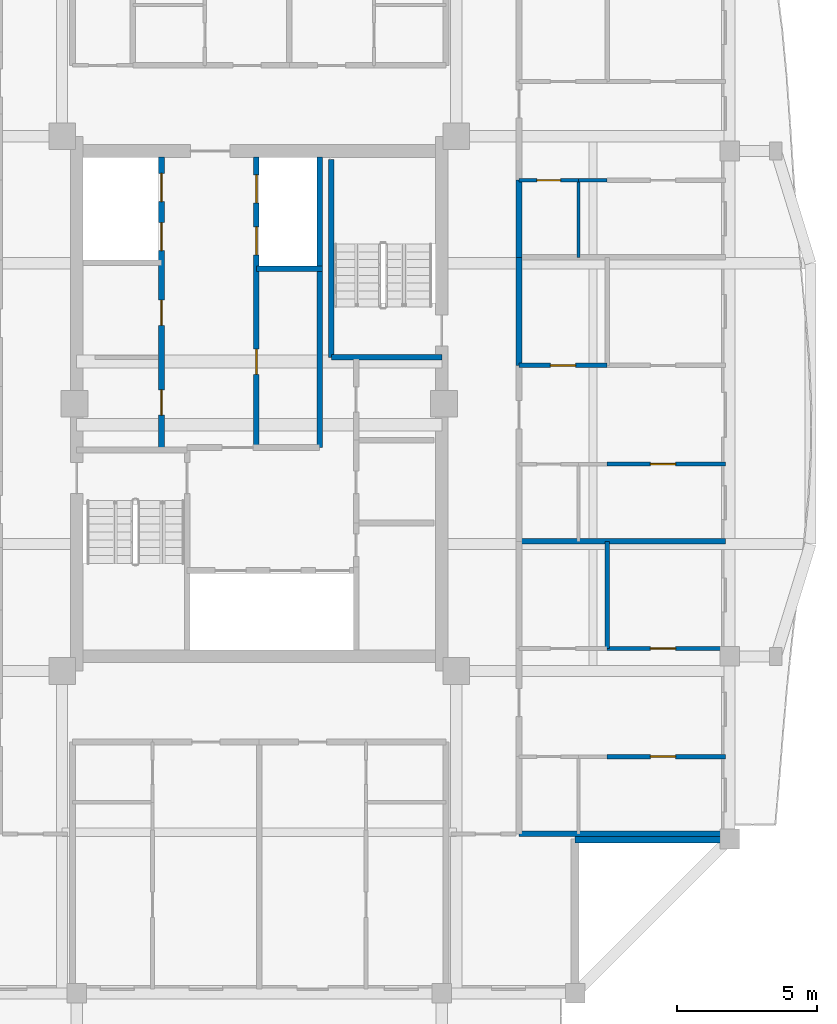
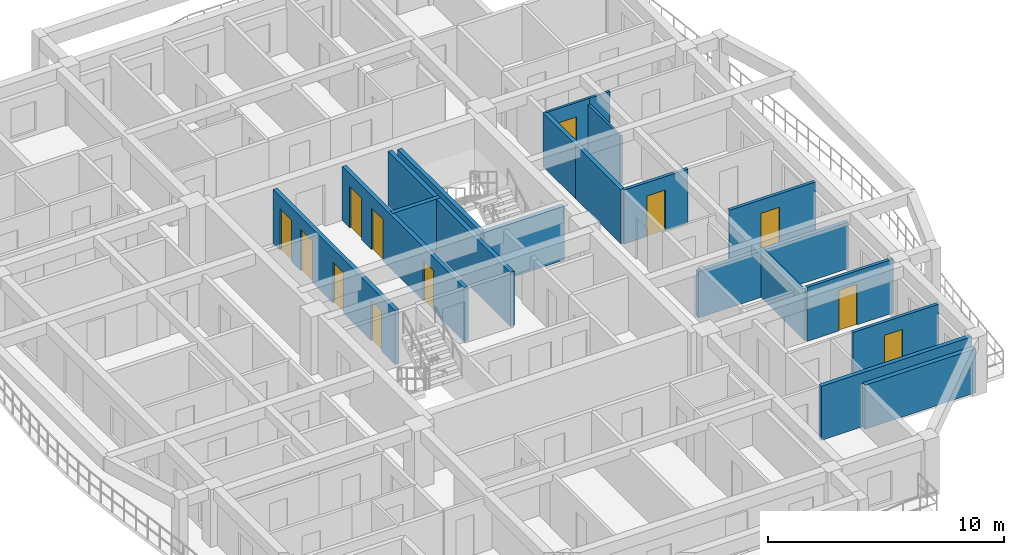
# One storey, part 5 of 14: 20 walls, 12 doors, 12 openings.
"""IFC4 building model written with IfcOpenShell, lengths in metres."""

from ifc_helpers import new_model, si_unit, direction, frame, frame_2d, origin, place, context, subcontext, project, spatial, rectangle, extrude, source, transform, mapped, material, layer, layer_set, type_object, element, fill, save


model = new_model("IFC4")

# Units and contexts
model_context = context("Model", 3, precision=1e-05, world=origin(), true_north=direction((0.0, 1.0)))
body_context = subcontext(model_context, "Body", "Model", "MODEL_VIEW")
ifc_project = project(units=[si_unit("LENGTHUNIT", "METRE"), si_unit("AREAUNIT", "SQUARE_METRE"), si_unit("VOLUMEUNIT", "CUBIC_METRE"), si_unit("PLANEANGLEUNIT", "RADIAN"), si_unit("MASSUNIT", "GRAM", prefix="KILO")], contexts=[model_context])

# Site, building, storey
site_placement = place(None, origin())
site = spatial("IfcSite", under=ifc_project, at=site_placement, CompositionType="ELEMENT")
building_placement = place(site_placement, origin())
building = spatial("IfcBuilding", under=site, at=building_placement, Name="Saelheon Loggia Tower", CompositionType="ELEMENT")
storey_placement = place(building_placement, frame((0.0, 0.0, 230.10009765625)))
storey = spatial("IfcBuildingStorey", under=building, at=storey_placement, Name="L71", CompositionType="ELEMENT", Elevation=230.10009765625)

# Walls
ifc_material_1 = material(Name="Architectural Precast Concrete C40/50", Category="concrete")
ifc_layer_1 = layer(ifc_material_1, 0.280029296875)
ifc_layer_set_1 = layer_set([ifc_layer_1], Name="Architectural Precast Concrete C40/50")
wall_type_1 = type_object("IfcWallType", Name="Wall_Ext_Loggia_280", PredefinedType="SOLIDWALL", material=ifc_layer_set_1)
wall_1_placement = place(storey_placement, frame((49.25, 11.5, 0.0), z_axis=(0.0, 0.0, 1.0), x_axis=(1.0, 0.0, 0.0)))
element("IfcWall", 1, at=wall_1_placement, inside=storey, type_object=wall_type_1, Name="L71 Corner Notch Precast Wall SE2", PredefinedType="SOLIDWALL", context=body_context, shape_type="SweptSolid", body=[
    extrude(rectangle(XDim=5.419921875, YDim=0.280029296875, at=frame_2d((2.7099609375, 0.0))), origin(), (0.0, 0.0, 1.0), 2.27978515625),
])
ifc_material_2 = material(Name="Lightweight Autoclaved Aerated Concrete Block and Acoustic Gypsum", Category="concrete")
ifc_layer_2 = layer(ifc_material_2, 0.14990234375)
ifc_layer_set_2 = layer_set([ifc_layer_2], Name="Lightweight Autoclaved Aerated Concrete Block and Acoustic Gypsum")
wall_type_2 = type_object("IfcWallType", Name="Wall_Part_150", PredefinedType="PARTITIONING", material=ifc_layer_set_2)
wall_2_placement = place(storey_placement, frame((50.389892578125, 18.280029296875, 0.0), z_axis=(0.0, 0.0, 1.0), x_axis=(0.0, 1.0, 0.0)))
element("IfcWall", 2, at=wall_2_placement, inside=storey, type_object=wall_type_2, Name="L71 E Partition V07", PredefinedType="PARTITIONING", context=body_context, shape_type="SweptSolid", body=[
    extrude(rectangle(XDim=3.817626953125, YDim=0.14990234375, at=frame_2d((1.90869140625, 0.0))), origin(), (0.0, 0.0, 1.0), 2.489990234375),
])

# Wall, opening, door
wall_3_placement = place(storey_placement, frame((50.389892578125, 14.429931640625, 0.0), z_axis=(0.0, 0.0, 1.0), x_axis=(1.0, 0.0, 0.0)))
wall_3 = element("IfcWall", 3, at=wall_3_placement, inside=storey, type_object=wall_type_2, Name="L71 E Partition U10", PredefinedType="PARTITIONING", context=body_context, shape_type="SweptSolid", body=[
    extrude(rectangle(XDim=4.210205078125, YDim=0.14990234375, at=frame_2d((2.10498046875, 0.0))), origin(), (0.0, 0.0, 1.0), 2.789794921875),
])
opening_1_placement = place(wall_3_placement, frame((1.537109375, 0.0, 0.0)))
opening_1 = element("IfcOpeningElement", 4, at=opening_1_placement, cuts=wall_3, Name="Opening D-IN2", PredefinedType="OPENING", context=body_context, shape_type="SweptSolid", body=[
    extrude(rectangle(XDim=0.89990234375, YDim=2.10009765625, at=frame_2d((0.449951171875, 1.050048828125))), frame((0.0, 0.0869140625, 0.0), z_axis=(0.0, -1.0, 0.0), x_axis=(1.0, 0.0, 0.0)), (0.0, 0.0, 1.0), 0.173828125),
])
ifc_material_3 = material(Name="Engineered Oak Flush Door", Category="timber")
door_type_1 = type_object("IfcDoorType", Name="Door_Int_900", OperationType="NOTDEFINED", PredefinedType="DOOR", material=ifc_material_3)
shared_shape_1 = source(origin(), body_context, "Body", "SweptSolid", [
    extrude(rectangle(XDim=0.89990234375, YDim=2.10009765625, at=frame_2d((0.449951171875, 1.050048828125))), frame((0.0, 0.02490234375, 0.0), z_axis=(0.0, -1.0, 0.0), x_axis=(1.0, 0.0, 0.0)), (0.0, 0.0, 1.0), 0.050048828125),
])
door_1_placement = place(opening_1_placement, origin())
door_1 = element("IfcDoor", 5, at=door_1_placement, inside=storey, type_object=door_type_1, Name="Unit U09 Kitchen Door", OperationType="SINGLE_SWING_RIGHT", OverallHeight=2.10009765625, OverallWidth=0.89990234375, PredefinedType="DOOR", context=body_context, shape_type="MappedRepresentation", body=[
    mapped(shared_shape_1, transform((0.0, 0.0, 0.0), scale=1.0)),
])
fill(opening_1, door_1)

wall_4_placement = place(storey_placement, frame((50.389892578125, 18.280029296875, 0.0), z_axis=(0.0, 0.0, 1.0), x_axis=(1.0, 0.0, 0.0)))
wall_4 = element("IfcWall", 6, at=wall_4_placement, inside=storey, type_object=wall_type_2, Name="L71 E Partition U12", PredefinedType="PARTITIONING", context=body_context, shape_type="SweptSolid", body=[
    extrude(rectangle(XDim=4.210205078125, YDim=0.14990234375, at=frame_2d((2.10498046875, 0.0))), origin(), (0.0, 0.0, 1.0), 2.789794921875),
])
opening_2_placement = place(wall_4_placement, frame((1.537109375, 0.0, 0.0)))
opening_2 = element("IfcOpeningElement", 7, at=opening_2_placement, cuts=wall_4, Name="Opening D-IN2", PredefinedType="OPENING", context=body_context, shape_type="SweptSolid", body=[
    extrude(rectangle(XDim=0.89990234375, YDim=2.10009765625, at=frame_2d((0.449951171875, 1.050048828125))), frame((0.0, 0.0869140625, 0.0), z_axis=(0.0, -1.0, 0.0), x_axis=(1.0, 0.0, 0.0)), (0.0, 0.0, 1.0), 0.173828125),
])
door_2_placement = place(opening_2_placement, origin())
door_2 = element("IfcDoor", 8, at=door_2_placement, inside=storey, type_object=door_type_1, Name="Unit U09 Bedroom 1 Door", OperationType="SINGLE_SWING_RIGHT", OverallHeight=2.10009765625, OverallWidth=0.89990234375, PredefinedType="DOOR", context=body_context, shape_type="MappedRepresentation", body=[
    mapped(shared_shape_1, transform((0.0, 0.0, 0.0), scale=1.0)),
])
fill(opening_2, door_2)

wall_5_placement = place(storey_placement, frame((50.389892578125, 24.84765625, 0.0), z_axis=(0.0, 0.0, 1.0), x_axis=(1.0, 0.0, 0.0)))
wall_5 = element("IfcWall", 9, at=wall_5_placement, inside=storey, type_object=wall_type_2, Name="L71 E Partition U21", PredefinedType="PARTITIONING", context=body_context, shape_type="SweptSolid", body=[
    extrude(rectangle(XDim=4.210205078125, YDim=0.14990234375, at=frame_2d((2.10498046875, 0.0))), origin(), (0.0, 0.0, 1.0), 2.789794921875),
])
opening_3_placement = place(wall_5_placement, frame((1.537109375, 0.0, 0.0)))
opening_3 = element("IfcOpeningElement", 10, at=opening_3_placement, cuts=wall_5, Name="Opening D-IN2", PredefinedType="OPENING", context=body_context, shape_type="SweptSolid", body=[
    extrude(rectangle(XDim=0.89990234375, YDim=2.10009765625, at=frame_2d((0.449951171875, 1.050048828125))), frame((0.0, 0.0869140625, 0.0), z_axis=(0.0, -1.0, 0.0), x_axis=(1.0, 0.0, 0.0)), (0.0, 0.0, 1.0), 0.173828125),
])
door_3_placement = place(opening_3_placement, origin())
door_3 = element("IfcDoor", 11, at=door_3_placement, inside=storey, type_object=door_type_1, Name="Unit U10 Kitchen Door", OperationType="SINGLE_SWING_LEFT", OverallHeight=2.10009765625, OverallWidth=0.89990234375, PredefinedType="DOOR", context=body_context, shape_type="MappedRepresentation", body=[
    mapped(shared_shape_1, transform((0.0, 0.0, 0.0), scale=1.0)),
])
fill(opening_3, door_3)

wall_6_placement = place(storey_placement, frame((47.25, 28.366455078125, 0.0), z_axis=(0.0, 0.0, 1.0), x_axis=(1.0, 0.0, 0.0)))
wall_6 = element("IfcWall", 12, at=wall_6_placement, inside=storey, type_object=wall_type_2, Name="L71 E Partition U22", PredefinedType="PARTITIONING", context=body_context, shape_type="SweptSolid", body=[
    extrude(rectangle(XDim=3.139892578125, YDim=0.14990234375, at=frame_2d((1.56982421875, 0.0))), origin(), (0.0, 0.0, 1.0), 2.789794921875),
])
opening_4_placement = place(wall_6_placement, frame((1.1201171875, 0.0, 0.0)))
opening_4 = element("IfcOpeningElement", 13, at=opening_4_placement, cuts=wall_6, Name="Opening D-IN2", PredefinedType="OPENING", context=body_context, shape_type="SweptSolid", body=[
    extrude(rectangle(XDim=0.89990234375, YDim=2.10009765625, at=frame_2d((0.449951171875, 1.050048828125))), frame((0.0, 0.0869140625, 0.0), z_axis=(0.0, -1.0, 0.0), x_axis=(1.0, 0.0, 0.0)), (0.0, 0.0, 1.0), 0.173828125),
])
door_4_placement = place(opening_4_placement, origin())
door_4 = element("IfcDoor", 14, at=door_4_placement, inside=storey, type_object=door_type_1, Name="Unit U10 Private Study Door", OperationType="SINGLE_SWING_RIGHT", OverallHeight=2.10009765625, OverallWidth=0.89990234375, PredefinedType="DOOR", context=body_context, shape_type="MappedRepresentation", body=[
    mapped(shared_shape_1, transform((0.0, 0.0, 0.0), scale=1.0)),
])
fill(opening_4, door_4)

# Walls
ifc_material_4 = material(Name="Double Acoustic Stud and Fireboard Partition", Category="gypsum")
ifc_layer_3 = layer(ifc_material_4, 0.199951171875)
ifc_layer_set_3 = layer_set([ifc_layer_3], Name="Double Acoustic Stud and Fireboard Partition")
wall_type_3 = type_object("IfcWallType", Name="Wall_Party_200", PredefinedType="PARTITIONING", material=ifc_layer_set_3)
wall_7_placement = place(storey_placement, frame((47.25, 11.679931640625, 0.0), z_axis=(0.0, 0.0, 1.0), x_axis=(1.0, 0.0, 0.0)))
element("IfcWall", 15, at=wall_7_placement, inside=storey, type_object=wall_type_3, Name="L71 E Partition U01", PredefinedType="PARTITIONING", context=body_context, shape_type="SweptSolid", body=[
    extrude(rectangle(XDim=7.35009765625, YDim=0.199951171875, at=frame_2d((3.675048828125, 0.0))), origin(), (0.0, 0.0, 1.0), 2.789794921875),
])
wall_8_placement = place(storey_placement, frame((47.25, 22.09765625, 0.0), z_axis=(0.0, 0.0, 1.0), x_axis=(1.0, 0.0, 0.0)))
element("IfcWall", 16, at=wall_8_placement, inside=storey, type_object=wall_type_3, Name="L71 E Partition U13", PredefinedType="PARTITIONING", context=body_context, shape_type="SweptSolid", body=[
    extrude(rectangle(XDim=7.35009765625, YDim=0.199951171875, at=frame_2d((3.675048828125, 0.0))), origin(), (0.0, 0.0, 1.0), 2.389892578125),
])
wall_9_placement = place(storey_placement, frame((47.25, 28.366455078125, 0.0), z_axis=(0.0, 0.0, 1.0), x_axis=(0.0, 1.0, 0.0)))
element("IfcWall", 17, at=wall_9_placement, inside=storey, type_object=wall_type_3, Name="L71 E Partition V16", PredefinedType="PARTITIONING", context=body_context, shape_type="SweptSolid", body=[
    extrude(rectangle(XDim=3.84228515625, YDim=0.199951171875, at=frame_2d((1.921142578125, 0.0))), origin(), (0.0, 0.0, 1.0), 2.789794921875),
])
wall_10_placement = place(storey_placement, frame((47.25, 32.208740234375, 0.0), z_axis=(0.0, 0.0, 1.0), x_axis=(0.0, 1.0, 0.0)))
element("IfcWall", 18, at=wall_10_placement, inside=storey, type_object=wall_type_3, Name="L71 E Partition V25", PredefinedType="PARTITIONING", context=body_context, shape_type="SweptSolid", body=[
    extrude(rectangle(XDim=2.75, YDim=0.199951171875, at=frame_2d((1.375, 0.0))), origin(), (0.0, 0.0, 1.0), 2.789794921875),
])
ifc_material_5 = material(Name="Concrete C40/50", Category="concrete")
ifc_layer_4 = layer(ifc_material_5, 0.199951171875)
ifc_layer_set_4 = layer_set([ifc_layer_4], Name="Concrete C40/50")
wall_type_4 = type_object("IfcWallType", Name="Wall_Shaft_200", PredefinedType="PARTITIONING", material=ifc_layer_set_4)
wall_11_placement = place(storey_placement, frame((40.14990234375, 25.43994140625, 0.0), z_axis=(0.0, 0.0, 1.0), x_axis=(0.0, 1.0, 0.0)))
element("IfcWall", 19, at=wall_11_placement, inside=storey, type_object=wall_type_4, Name="L71 Core Service Passage West Wall", PredefinedType="PARTITIONING", context=body_context, shape_type="SweptSolid", body=[
    extrude(rectangle(XDim=6.360107421875, YDim=0.199951171875, at=frame_2d((3.18017578125, 0.0))), origin(), (0.0, 0.0, 1.0), 2.789794921875),
])
wall_12_placement = place(storey_placement, frame((40.14990234375, 31.800048828125, 0.0), z_axis=(0.0, 0.0, 1.0), x_axis=(0.0, 1.0, 0.0)))
element("IfcWall", 20, at=wall_12_placement, inside=storey, type_object=wall_type_4, Name="L71 East High-Rise Hoistway East Wall", PredefinedType="PARTITIONING", context=body_context, shape_type="SweptSolid", body=[
    extrude(rectangle(XDim=3.97998046875, YDim=0.199951171875, at=frame_2d((1.989990234375, 0.0))), origin(), (0.0, 0.0, 1.0), 2.789794921875),
])

# Wall, openings, doors
wall_13_placement = place(storey_placement, frame((34.52001953125, 25.43994140625, 0.0), z_axis=(0.0, 0.0, 1.0), x_axis=(0.0, 1.0, 0.0)))
wall_13 = element("IfcWall", 21, at=wall_13_placement, inside=storey, type_object=wall_type_4, Name="L71 West Passenger Lift Bank Wall", PredefinedType="PARTITIONING", context=body_context, shape_type="SweptSolid", body=[
    extrude(rectangle(XDim=10.340087890625, YDim=0.199951171875, at=frame_2d((5.169921875, 0.0))), origin(), (0.0, 0.0, 1.0), 2.789794921875),
])
opening_5_placement = place(wall_13_placement, frame((1.14990234375, 0.0, 0.0)))
opening_5 = element("IfcOpeningElement", 22, at=opening_5_placement, cuts=wall_13, Name="Opening D-RS1", PredefinedType="OPENING", context=body_context, shape_type="SweptSolid", body=[
    extrude(rectangle(XDim=0.89990234375, YDim=2.10009765625, at=frame_2d((0.449951171875, 1.050048828125))), frame((0.0, 0.112060546875, 0.0), z_axis=(0.0, -1.0, 0.0), x_axis=(1.0, 0.0, 0.0)), (0.0, 0.0, 1.0), 0.223876953125),
])
opening_6_placement = place(wall_13_placement, frame((4.35009765625, 0.0, 0.0)))
opening_6 = element("IfcOpeningElement", 23, at=opening_6_placement, cuts=wall_13, Name="Opening D-RS1", PredefinedType="OPENING", context=body_context, shape_type="SweptSolid", body=[
    extrude(rectangle(XDim=0.89990234375, YDim=2.10009765625, at=frame_2d((0.449951171875, 1.050048828125))), frame((0.0, 0.112060546875, 0.0), z_axis=(0.0, -1.0, 0.0), x_axis=(1.0, 0.0, 0.0)), (0.0, 0.0, 1.0), 0.223876953125),
])
opening_7_placement = place(wall_13_placement, frame((7.010009765625, 0.0, 0.0)))
opening_7 = element("IfcOpeningElement", 24, at=opening_7_placement, cuts=wall_13, Name="Opening LD1", PredefinedType="OPENING", context=body_context, shape_type="SweptSolid", body=[
    extrude(rectangle(XDim=1.0, YDim=2.14990234375, at=frame_2d((0.5, 1.074951171875))), frame((0.0, 0.112060546875, 0.0), z_axis=(0.0, -1.0, 0.0), x_axis=(1.0, 0.0, 0.0)), (0.0, 0.0, 1.0), 0.223876953125),
])
opening_8_placement = place(wall_13_placement, frame((8.760009765625, 0.0, 0.0)))
opening_8 = element("IfcOpeningElement", 25, at=opening_8_placement, cuts=wall_13, Name="Opening LD1", PredefinedType="OPENING", context=body_context, shape_type="SweptSolid", body=[
    extrude(rectangle(XDim=1.0, YDim=2.14990234375, at=frame_2d((0.5, 1.074951171875))), frame((0.0, 0.112060546875, 0.0), z_axis=(0.0, -1.0, 0.0), x_axis=(1.0, 0.0, 0.0)), (0.0, 0.0, 1.0), 0.223876953125),
])
ifc_material_6 = material(Name="Galvanised Steel Riser Access Door", Category="steel")
door_type_2 = type_object("IfcDoorType", Name="Door_Riser_FD60", OperationType="NOTDEFINED", PredefinedType="DOOR", material=ifc_material_6)
door_5_placement = place(opening_5_placement, origin())
door_5 = element("IfcDoor", 26, at=door_5_placement, inside=storey, type_object=door_type_2, Name="L71 Parcel Store Door", OperationType="SINGLE_SWING_RIGHT", OverallHeight=2.10009765625, OverallWidth=0.89990234375, PredefinedType="DOOR", context=body_context, shape_type="MappedRepresentation", body=[
    mapped(shared_shape_1, transform((0.0, 0.0, 0.0), scale=1.0)),
])
fill(opening_5, door_5)
door_6_placement = place(opening_6_placement, origin())
door_6 = element("IfcDoor", 27, at=door_6_placement, inside=storey, type_object=door_type_2, Name="L71 Smart Metering Door", OperationType="SINGLE_SWING_LEFT", OverallHeight=2.10009765625, OverallWidth=0.89990234375, PredefinedType="DOOR", context=body_context, shape_type="MappedRepresentation", body=[
    mapped(shared_shape_1, transform((0.0, 0.0, 0.0), scale=1.0)),
])
fill(opening_6, door_6)
ifc_material_7 = material(Name="Brushed Stainless Steel 304 Landing Door", Category="steel")
door_type_3 = type_object("IfcDoorType", Name="Door_Lift_LD1", OperationType="DOUBLE_DOOR_SLIDING", PredefinedType="DOOR", material=ifc_material_7)
shared_shape_2 = source(origin(), body_context, "Body", "SweptSolid", [
    extrude(rectangle(XDim=1.0, YDim=2.14990234375, at=frame_2d((0.5, 1.074951171875))), frame((0.0, 0.02490234375, 0.0), z_axis=(0.0, -1.0, 0.0), x_axis=(1.0, 0.0, 0.0)), (0.0, 0.0, 1.0), 0.050048828125),
])
door_7_placement = place(opening_7_placement, origin())
door_7 = element("IfcDoor", 28, at=door_7_placement, inside=storey, type_object=door_type_3, Name="L71 PH1 Landing Door", OperationType="DOUBLE_DOOR_SLIDING", OverallHeight=2.14990234375, OverallWidth=1.0, PredefinedType="DOOR", context=body_context, shape_type="MappedRepresentation", body=[
    mapped(shared_shape_2, transform((0.0, 0.0, 0.0), scale=1.0)),
])
fill(opening_7, door_7)
door_8_placement = place(opening_8_placement, origin())
door_8 = element("IfcDoor", 29, at=door_8_placement, inside=storey, type_object=door_type_3, Name="L71 PH2 Landing Door", OperationType="DOUBLE_DOOR_SLIDING", OverallHeight=2.14990234375, OverallWidth=1.0, PredefinedType="DOOR", context=body_context, shape_type="MappedRepresentation", body=[
    mapped(shared_shape_2, transform((0.0, 0.0, 0.0), scale=1.0)),
])
fill(opening_8, door_8)

wall_14_placement = place(storey_placement, frame((37.89990234375, 25.43994140625, 0.0), z_axis=(0.0, 0.0, 1.0), x_axis=(0.0, 1.0, 0.0)))
wall_14 = element("IfcWall", 30, at=wall_14_placement, inside=storey, type_object=wall_type_4, Name="L71 East Passenger Lift Bank Wall", PredefinedType="PARTITIONING", context=body_context, shape_type="SweptSolid", body=[
    extrude(rectangle(XDim=10.340087890625, YDim=0.199951171875, at=frame_2d((5.169921875, 0.0))), origin(), (0.0, 0.0, 1.0), 2.789794921875),
])
opening_9_placement = place(wall_14_placement, frame((2.60009765625, 0.0, 0.0)))
opening_9 = element("IfcOpeningElement", 31, at=opening_9_placement, cuts=wall_14, Name="Opening D-RS1", PredefinedType="OPENING", context=body_context, shape_type="SweptSolid", body=[
    extrude(rectangle(XDim=0.89990234375, YDim=2.10009765625, at=frame_2d((0.449951171875, 1.050048828125))), frame((0.0, 0.112060546875, 0.0), z_axis=(0.0, -1.0, 0.0), x_axis=(1.0, 0.0, 0.0)), (0.0, 0.0, 1.0), 0.223876953125),
])
opening_10_placement = place(wall_14_placement, frame((6.860107421875, 0.0, 0.0)))
opening_10 = element("IfcOpeningElement", 32, at=opening_10_placement, cuts=wall_14, Name="Opening LD1", PredefinedType="OPENING", context=body_context, shape_type="SweptSolid", body=[
    extrude(rectangle(XDim=1.0, YDim=2.14990234375, at=frame_2d((0.5, 1.074951171875))), frame((0.0, 0.112060546875, 0.0), z_axis=(0.0, -1.0, 0.0), x_axis=(1.0, 0.0, 0.0)), (0.0, 0.0, 1.0), 0.223876953125),
])
opening_11_placement = place(wall_14_placement, frame((8.7099609375, 0.0, 0.0)))
opening_11 = element("IfcOpeningElement", 33, at=opening_11_placement, cuts=wall_14, Name="Opening LD1", PredefinedType="OPENING", context=body_context, shape_type="SweptSolid", body=[
    extrude(rectangle(XDim=1.0, YDim=2.14990234375, at=frame_2d((0.5, 1.074951171875))), frame((0.0, 0.112060546875, 0.0), z_axis=(0.0, -1.0, 0.0), x_axis=(1.0, 0.0, 0.0)), (0.0, 0.0, 1.0), 0.223876953125),
])
door_9_placement = place(opening_9_placement, origin())
door_9 = element("IfcDoor", 34, at=door_9_placement, inside=storey, type_object=door_type_2, Name="L71 Upper Storage Room Door", OperationType="SINGLE_SWING_RIGHT", OverallHeight=2.10009765625, OverallWidth=0.89990234375, PredefinedType="DOOR", context=body_context, shape_type="MappedRepresentation", body=[
    mapped(shared_shape_1, transform((0.0, 0.0, 0.0), scale=1.0)),
])
fill(opening_9, door_9)
door_10_placement = place(opening_10_placement, origin())
door_10 = element("IfcDoor", 35, at=door_10_placement, inside=storey, type_object=door_type_3, Name="L71 PH3 Landing Door", OperationType="DOUBLE_DOOR_SLIDING", OverallHeight=2.14990234375, OverallWidth=1.0, PredefinedType="DOOR", context=body_context, shape_type="MappedRepresentation", body=[
    mapped(shared_shape_2, transform((0.0, 0.0, 0.0), scale=1.0)),
])
fill(opening_10, door_10)
door_11_placement = place(opening_11_placement, origin())
door_11 = element("IfcDoor", 36, at=door_11_placement, inside=storey, type_object=door_type_3, Name="L71 PH4 Landing Door", OperationType="DOUBLE_DOOR_SLIDING", OverallHeight=2.14990234375, OverallWidth=1.0, PredefinedType="DOOR", context=body_context, shape_type="MappedRepresentation", body=[
    mapped(shared_shape_2, transform((0.0, 0.0, 0.0), scale=1.0)),
])
fill(opening_11, door_11)

# Walls
wall_15_placement = place(storey_placement, frame((37.89990234375, 31.800048828125, 0.0), z_axis=(0.0, 0.0, 1.0), x_axis=(1.0, 0.0, 0.0)))
element("IfcWall", 37, at=wall_15_placement, inside=storey, type_object=wall_type_4, Name="L71 East High-Rise Shaft Divider", PredefinedType="PARTITIONING", context=body_context, shape_type="SweptSolid", body=[
    extrude(rectangle(XDim=2.35009765625, YDim=0.199951171875, at=frame_2d((1.175048828125, 0.0))), origin(), (0.0, 0.0, 1.0), 2.789794921875),
])
ifc_material_8 = material(Name="Concrete C45/55", Category="concrete")
ifc_layer_5 = layer(ifc_material_8, 0.199951171875)
ifc_layer_set_5 = layer_set([ifc_layer_5], Name="Concrete C45/55")
wall_type_5 = type_object("IfcWallType", Name="Wall_StairShaft_RC200", PredefinedType="SOLIDWALL", material=ifc_layer_set_5)
wall_16_placement = place(storey_placement, frame((40.570068359375, 28.64990234375, 0.0), z_axis=(0.0, 0.0, 1.0), x_axis=(0.0, 1.0, 0.0)))
element("IfcWall", 38, at=wall_16_placement, inside=storey, type_object=wall_type_5, Name="L71 Stair ST2 Shaft Wall", PredefinedType="SOLIDWALL", context=body_context, shape_type="SweptSolid", body=[
    extrude(rectangle(XDim=7.050048828125, YDim=0.199951171875, at=frame_2d((3.52490234375, 0.0))), origin(), (0.0, 0.0, 1.0), 2.789794921875),
])
wall_17_placement = place(storey_placement, frame((40.570068359375, 28.64990234375, 0.0), z_axis=(0.0, 0.0, 1.0), x_axis=(1.0, 0.0, 0.0)))
element("IfcWall", 39, at=wall_17_placement, inside=storey, type_object=wall_type_5, Name="L71 Stair ST2 South Wall", PredefinedType="SOLIDWALL", context=body_context, shape_type="SweptSolid", body=[
    extrude(rectangle(XDim=3.929931640625, YDim=0.199951171875, at=frame_2d((1.96484375, 0.0))), origin(), (0.0, 0.0, 1.0), 2.789794921875),
])
ifc_material_9 = material(Name="Moisture-Resistant Cement Board Partition", Category="gypsum")
ifc_layer_6 = layer(ifc_material_9, 0.1201171875)
ifc_layer_set_6 = layer_set([ifc_layer_6], Name="Moisture-Resistant Cement Board Partition")
wall_type_6 = type_object("IfcWallType", Name="Wall_WetPart_120", PredefinedType="PARTITIONING", material=ifc_layer_set_6)
wall_18_placement = place(storey_placement, frame((49.3701171875, 32.208740234375, 0.0), z_axis=(0.0, 0.0, 1.0), x_axis=(0.0, 1.0, 0.0)))
element("IfcWall", 40, at=wall_18_placement, inside=storey, type_object=wall_type_6, Name="L71 E Partition V28", PredefinedType="PARTITIONING", context=body_context, shape_type="SweptSolid", body=[
    extrude(rectangle(XDim=2.75, YDim=0.1201171875, at=frame_2d((1.375, 0.0))), origin(), (0.0, 0.0, 1.0), 2.489990234375),
])

# Wall, opening, door
wall_19_placement = place(storey_placement, frame((47.25, 34.958740234375, 0.0), z_axis=(0.0, 0.0, 1.0), x_axis=(1.0, 0.0, 0.0)))
wall_19 = element("IfcWall", 41, at=wall_19_placement, inside=storey, type_object=wall_type_6, Name="L71 E Partition U30", PredefinedType="PARTITIONING", context=body_context, shape_type="SweptSolid", body=[
    extrude(rectangle(XDim=2.1201171875, YDim=0.1201171875, at=frame_2d((1.06005859375, 0.0))), origin(), (0.0, 0.0, 1.0), 2.789794921875),
])
opening_12_placement = place(wall_19_placement, frame((0.635009765625, 0.0, 0.0)))
opening_12 = element("IfcOpeningElement", 42, at=opening_12_placement, cuts=wall_19, Name="Opening D-BT1", PredefinedType="OPENING", context=body_context, shape_type="SweptSolid", body=[
    extrude(rectangle(XDim=0.85009765625, YDim=2.050048828125, at=frame_2d((0.425048828125, 1.02490234375))), frame((0.0, 0.072021484375, 0.0), z_axis=(0.0, -1.0, 0.0), x_axis=(1.0, 0.0, 0.0)), (0.0, 0.0, 1.0), 0.14404296875),
])
ifc_material_10 = material(Name="Moisture-Resistant Laminate Timber Door", Category="wood")
door_type_4 = type_object("IfcDoorType", Name="Door_Bath_850", OperationType="NOTDEFINED", PredefinedType="DOOR", material=ifc_material_10)
shared_shape_3 = source(origin(), body_context, "Body", "SweptSolid", [
    extrude(rectangle(XDim=0.85009765625, YDim=2.050048828125, at=frame_2d((0.425048828125, 1.02490234375))), frame((0.0, 0.02490234375, 0.0), z_axis=(0.0, -1.0, 0.0), x_axis=(1.0, 0.0, 0.0)), (0.0, 0.0, 1.0), 0.050048828125),
])
door_12_placement = place(opening_12_placement, origin())
door_12 = element("IfcDoor", 43, at=door_12_placement, inside=storey, type_object=door_type_4, Name="Unit U11 Bathroom Door", OperationType="SINGLE_SWING_LEFT", OverallHeight=2.050048828125, OverallWidth=0.85009765625, PredefinedType="DOOR", context=body_context, shape_type="MappedRepresentation", body=[
    mapped(shared_shape_3, transform((0.0, 0.0, 0.0), scale=1.0)),
])
fill(opening_12, door_12)

# Wall
wall_20_placement = place(storey_placement, frame((49.3701171875, 34.958740234375, 0.0), z_axis=(0.0, 0.0, 1.0), x_axis=(1.0, 0.0, 0.0)))
element("IfcWall", 44, at=wall_20_placement, inside=storey, type_object=wall_type_6, Name="L71 E Partition U31", PredefinedType="PARTITIONING", context=body_context, shape_type="SweptSolid", body=[
    extrude(rectangle(XDim=1.019775390625, YDim=0.1201171875, at=frame_2d((0.509765625, 0.0))), origin(), (0.0, 0.0, 1.0), 2.789794921875),
])

save(model, "model.ifc")
